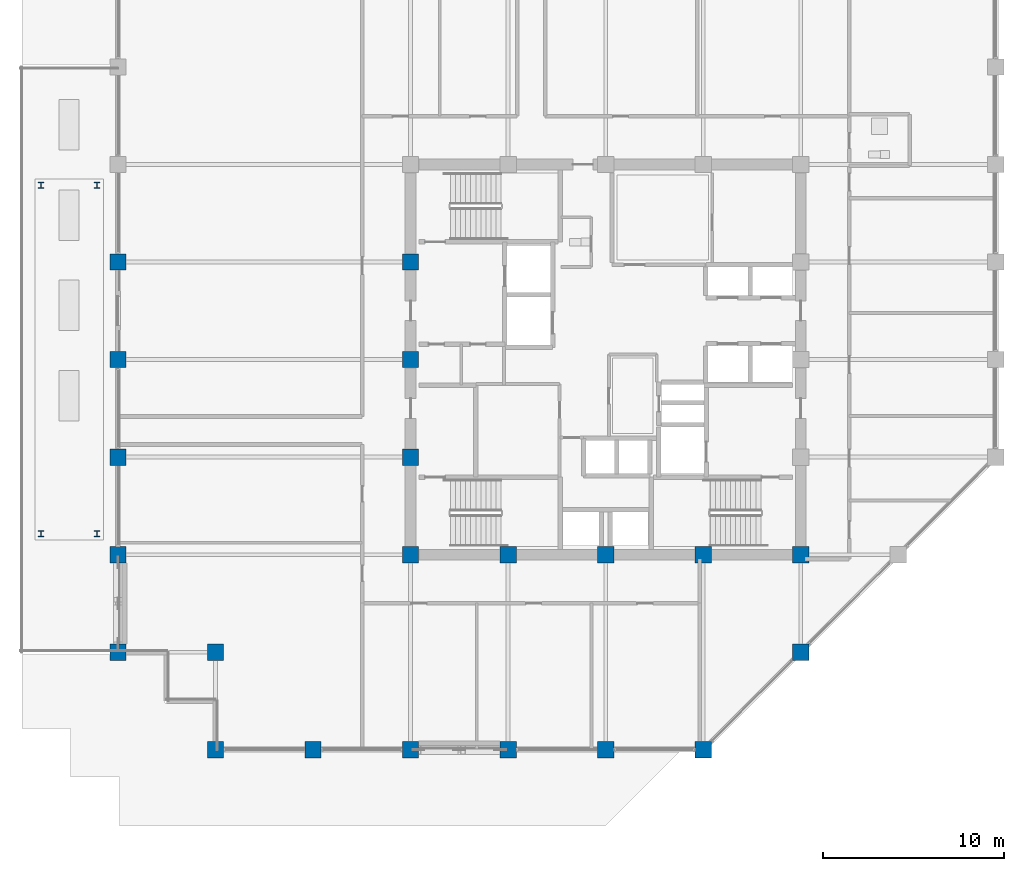
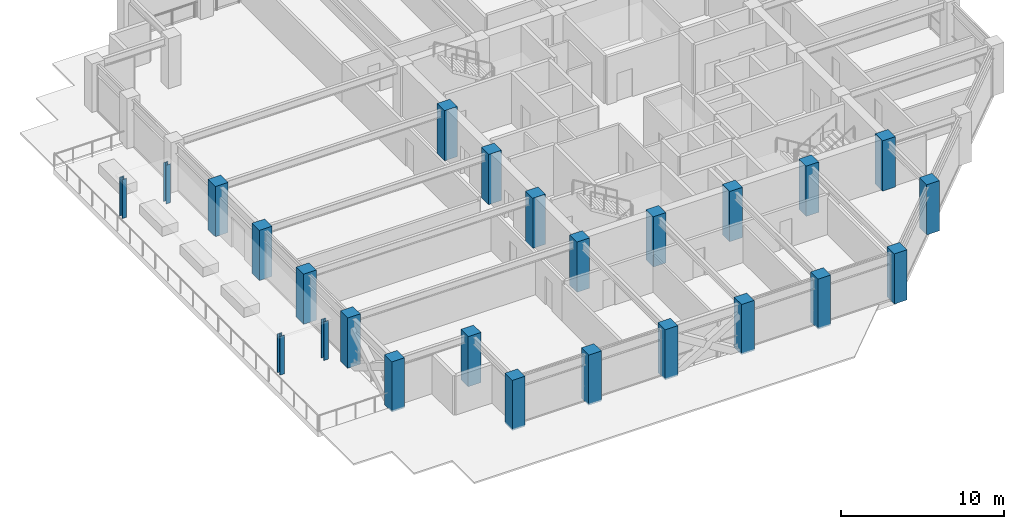
# One storey, part 1 of 36: 25 columns.
"""IFC4 building model written with IfcOpenShell, lengths in metres."""

from ifc_helpers import new_model, si_unit, direction, frame, origin, origin_2d, place, context, subcontext, project, spatial, rectangle, i_section, extrude, material, material_profile, profile_set, type_object, element, save


model = new_model("IFC4")

# Units and contexts
model_context = context("Model", 3, precision=1e-05, world=origin(), true_north=direction((0.0, 1.0)))
body_context = subcontext(model_context, "Body", "Model", "MODEL_VIEW")
ifc_project = project(units=[si_unit("LENGTHUNIT", "METRE"), si_unit("AREAUNIT", "SQUARE_METRE"), si_unit("VOLUMEUNIT", "CUBIC_METRE"), si_unit("PLANEANGLEUNIT", "RADIAN"), si_unit("MASSUNIT", "GRAM", prefix="KILO")], contexts=[model_context])

# Site, building, storey
site_placement = place(None, origin())
site = spatial("IfcSite", under=ifc_project, at=site_placement, CompositionType="ELEMENT")
building_placement = place(site_placement, origin())
building = spatial("IfcBuilding", under=site, at=building_placement, Name="Surkhivell Harbour Commons", CompositionType="ELEMENT")
storey_placement = place(building_placement, frame((0.0, 0.0, 171.0)))
storey = spatial("IfcBuildingStorey", under=building, at=storey_placement, Name="L44", CompositionType="ELEMENT", Elevation=171.0)

# Columns
ifc_material_1 = material(Name="Steel S355", Category="steel")
ifc_material_profile_1 = material_profile(ifc_material_1, i_section(OverallWidth=0.31396484375, OverallDepth=0.340087890625, WebThickness=0.01904296875, FlangeThickness=0.031494140625, at=origin_2d()), Name="UC305x305x198")
ifc_profile_set_1 = profile_set([ifc_material_profile_1], Name="Steel S355")
column_type_1 = type_object("IfcColumnType", Name="COL-CRN-UC305", PredefinedType="COLUMN", material=ifc_profile_set_1)
for number, where, z_axis, x_axis, name in (
    (1, (-31.25, -9.64990234375, 0.0), (0.0, 0.0, 1.0), (1.0, 0.0, 0.0), "L44 Canopy Support Post CAN-SG2-1"),
    (2, (-28.14990234375, -9.64990234375, 0.0), (0.0, 0.0, 1.0), (1.0, 0.0, 0.0), "L44 Canopy Support Post CAN-SG2-2"),
    (3, (-28.14990234375, 9.64990234375, 0.0), (0.0, 0.0, 1.0), (1.0, 0.0, 0.0), "L44 Canopy Support Post CAN-SG2-3"),
    (4, (-31.25, 9.64990234375, 0.0), (0.0, 0.0, 1.0), (1.0, 0.0, 0.0), "L44 Canopy Support Post CAN-SG2-4"),
):
    element("IfcColumn", number, at=place(storey_placement, frame(where, z_axis=z_axis, x_axis=x_axis)), inside=storey, type_object=column_type_1, Name=name, PredefinedType="COLUMN", context=body_context, shape_type="SweptSolid", body=[
        extrude(i_section(OverallWidth=0.31396484375, OverallDepth=0.340087890625, WebThickness=0.01904296875, FlangeThickness=0.031494140625, at=origin_2d()), origin(), (0.0, 0.0, 1.0), 2.889892578125),
    ])
ifc_material_2 = material(Name="Concrete C60/75", Category="concrete")
ifc_material_profile_2 = material_profile(ifc_material_2, rectangle(XDim=0.89990234375, YDim=0.89990234375, at=origin_2d()), Name="RC-COL-900x900")
ifc_profile_set_2 = profile_set([ifc_material_profile_2], Name="Concrete C60/75")
column_type_2 = type_object("IfcColumnType", Name="COL-TUBE-Z3A", PredefinedType="COLUMN", material=ifc_profile_set_2)
for number, where, z_axis, x_axis, name in (
    (5, (-27.0, -16.199951171875, 0.0), (0.0, 0.0, 1.0), (1.0, 0.0, 0.0), "L44 Column CT-3A (-27.0,-16.2)"),
    (6, (-27.0, -10.800048828125, 0.0), (0.0, 0.0, 1.0), (1.0, 0.0, 0.0), "L44 Column CT-3A (-27.0,-10.8)"),
    (7, (-27.0, -5.39990234375, 0.0), (0.0, 0.0, 1.0), (1.0, 0.0, 0.0), "L44 Column CT-3A (-27.0,-5.4)"),
    (8, (-27.0, 0.0, 0.0), (0.0, 0.0, 1.0), (1.0, 0.0, 0.0), "L44 Column CT-3A (-27.0,0.0)"),
    (9, (-27.0, 5.39990234375, 0.0), (0.0, 0.0, 1.0), (1.0, 0.0, 0.0), "L44 Column CT-3A (-27.0,5.4)"),
    (10, (-21.60009765625, -21.60009765625, 0.0), (0.0, 0.0, 1.0), (1.0, 0.0, 0.0), "L44 Column CT-3A (-21.6,-21.6)"),
    (11, (-21.60009765625, -16.199951171875, 0.0), (0.0, 0.0, 1.0), (1.0, 0.0, 0.0), "L44 Column CT-3A (-21.6,-16.2)"),
    (12, (-16.199951171875, -21.60009765625, 0.0), (0.0, 0.0, 1.0), (1.0, 0.0, 0.0), "L44 Column CT-3A (-16.2,-21.6)"),
    (13, (-10.800048828125, -21.60009765625, 0.0), (0.0, 0.0, 1.0), (1.0, 0.0, 0.0), "L44 Column CT-3A (-10.8,-21.6)"),
    (14, (-10.800048828125, -10.800048828125, 0.0), (0.0, 0.0, 1.0), (1.0, 0.0, 0.0), "L44 Column CT-3A (-10.8,-10.8)"),
    (15, (-10.800048828125, -5.39990234375, 0.0), (0.0, 0.0, 1.0), (1.0, 0.0, 0.0), "L44 Column CT-3A (-10.8,-5.4)"),
    (16, (-10.800048828125, 0.0, 0.0), (0.0, 0.0, 1.0), (1.0, 0.0, 0.0), "L44 Column CT-3A (-10.8,0.0)"),
    (17, (-10.800048828125, 5.39990234375, 0.0), (0.0, 0.0, 1.0), (1.0, 0.0, 0.0), "L44 Column CT-3A (-10.8,5.4)"),
    (18, (-5.39990234375, -21.60009765625, 0.0), (0.0, 0.0, 1.0), (1.0, 0.0, 0.0), "L44 Column CT-3A (-5.4,-21.6)"),
    (19, (-5.39990234375, -10.800048828125, 0.0), (0.0, 0.0, 1.0), (1.0, 0.0, 0.0), "L44 Column CT-3A (-5.4,-10.8)"),
    (20, (0.0, -21.60009765625, 0.0), (0.0, 0.0, 1.0), (1.0, 0.0, 0.0), "L44 Column CT-3A (-0.0,-21.6)"),
    (21, (0.0, -10.800048828125, 0.0), (0.0, 0.0, 1.0), (1.0, 0.0, 0.0), "L44 Column CT-3A (0.0,-10.8)"),
    (22, (5.39990234375, -21.60009765625, 0.0), (0.0, 0.0, 1.0), (1.0, 0.0, 0.0), "L44 Column CT-3A (5.4,-21.6)"),
    (23, (5.39990234375, -10.800048828125, 0.0), (0.0, 0.0, 1.0), (1.0, 0.0, 0.0), "L44 Column CT-3A (5.4,-10.8)"),
    (24, (10.800048828125, -16.199951171875, 0.0), (0.0, 0.0, 1.0), (1.0, 0.0, 0.0), "L44 Column CT-3A (10.8,-16.2)"),
    (25, (10.800048828125, -10.800048828125, 0.0), (0.0, 0.0, 1.0), (1.0, 0.0, 0.0), "L44 Column CT-3A (10.8,-10.8)"),
):
    element("IfcColumn", number, at=place(storey_placement, frame(where, z_axis=z_axis, x_axis=x_axis)), inside=storey, type_object=column_type_2, Name=name, PredefinedType="COLUMN", context=body_context, shape_type="SweptSolid", body=[
        extrude(rectangle(XDim=0.89990234375, YDim=0.89990234375, at=origin_2d()), origin(), (0.0, 0.0, 1.0), 3.75),
    ])

save(model, "model.ifc")
